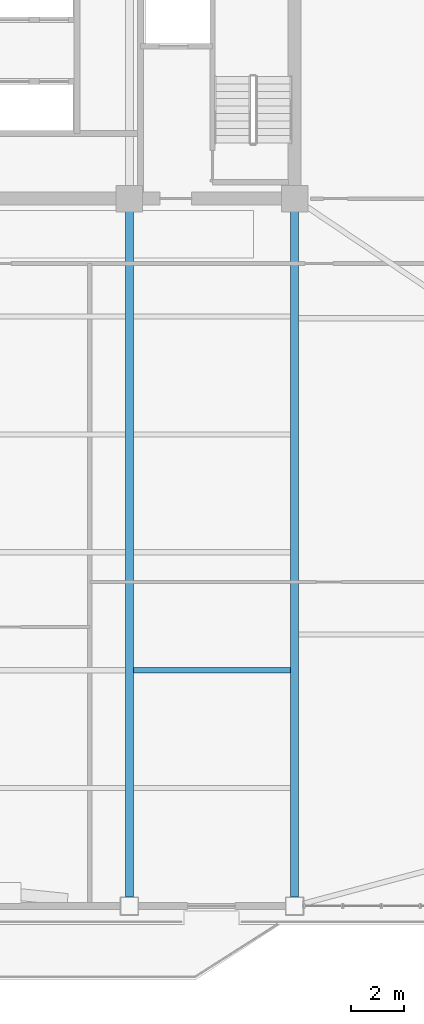
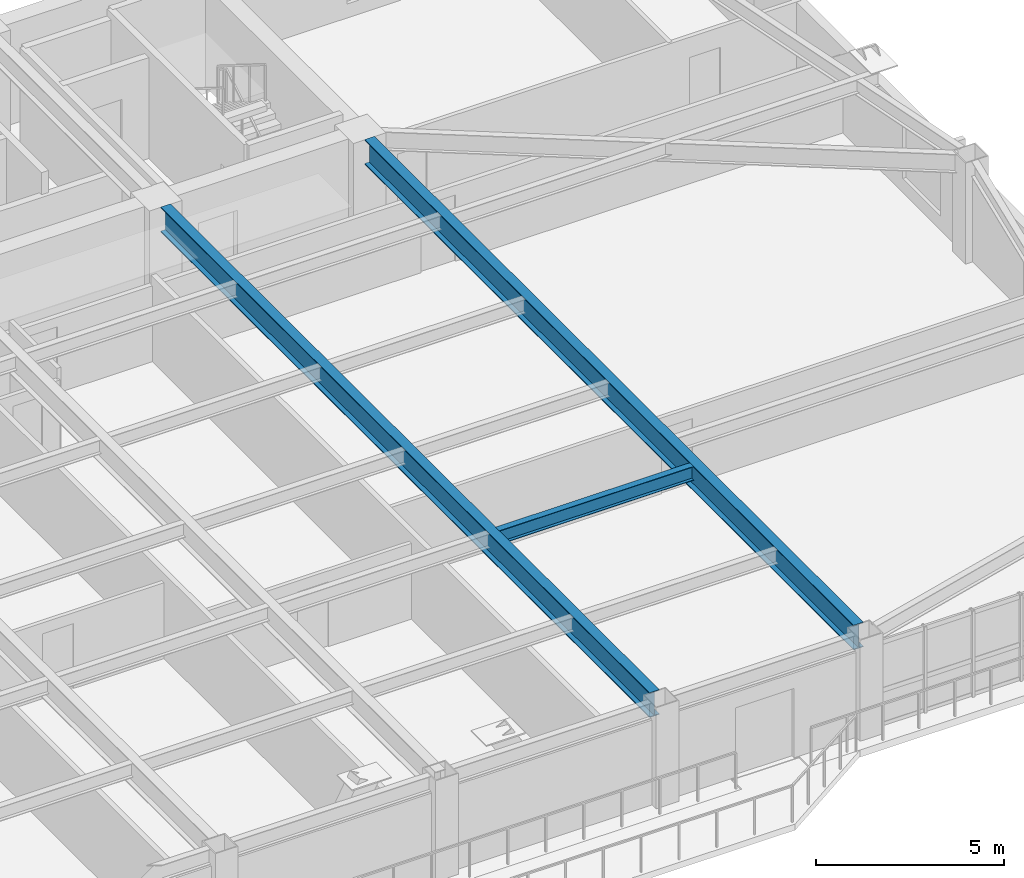
# One storey, part 5 of 17: 3 beams.
"""IFC4 building model written with IfcOpenShell, lengths in metres."""

import ifcopenshell
import ifcopenshell.guid

model = None  # the IFC model being written
_history = None  # IfcOwnerHistory: only IFC2X3 demands one
_inside = {}  # id of a spatial element -> (the spatial element, [elements in it])
_under = {}  # id of a project, library or spatial element -> (it, [spatial elements below it])
_declared = {}  # id of a project -> (the project, [libraries it declares])
_typed = {}  # id of a type object -> (the type object, [elements of that type])
_made_of = {}  # id of a material, layer set ... -> (it, [elements and type objects made of it])


def new_model(schema):
    """Start an empty IFC model of exactly this schema.

    Asked for "IFC4X3", IfcOpenShell would pick the latest addendum, in which some entities
    have other attributes; the version numbers below select the first issue.
    IFC2X3 requires an IfcOwnerHistory on every rooted entity: one is made here for all.
    """
    global model, _history
    if schema == "IFC4X3":
        model = ifcopenshell.file(schema_version=(4, 3, 0, 0))
    else:
        model = ifcopenshell.file(schema=schema)
    _inside.clear()
    _under.clear()
    _declared.clear()
    _typed.clear()
    _made_of.clear()
    _history = None
    if model.schema == "IFC2X3":
        org = make("IfcOrganization", Name="unknown")
        user = make(
            "IfcPersonAndOrganization",
            ThePerson=make("IfcPerson", FamilyName="unknown"),
            TheOrganization=org,
        )
        app = make(
            "IfcApplication",
            ApplicationDeveloper=org,
            Version="unknown",
            ApplicationFullName="unknown",
            ApplicationIdentifier="unknown",
        )
        _history = make(
            "IfcOwnerHistory",
            OwningUser=user,
            OwningApplication=app,
            ChangeAction="ADDED",
            CreationDate=0,
        )
    return model


def make(cls, **values):
    """One entity of the class cls with the attributes given. An attribute that is None is left unset."""
    return model.create_entity(
        cls, **{name: value for name, value in values.items() if value is not None}
    )


def rooted(cls, **values):
    """An entity with a GlobalId (a new one), such as an element, a storey or a relation."""
    return make(cls, GlobalId=ifcopenshell.guid.new(), OwnerHistory=_history, **values)


def si_unit(unit_type, name, prefix=None):
    """IfcSIUnit, for example si_unit("LENGTHUNIT", "METRE", prefix="MILLI")."""
    return make("IfcSIUnit", UnitType=unit_type, Prefix=prefix, Name=name)


def assignment(units):
    """IfcUnitAssignment: the units of a project."""
    return None if units is None else make("IfcUnitAssignment", Units=units)


def point(xyz):
    """IfcCartesianPoint."""
    return None if xyz is None else make("IfcCartesianPoint", Coordinates=xyz)


def direction(xyz):
    """IfcDirection."""
    return None if xyz is None else make("IfcDirection", DirectionRatios=xyz)


def frame(location, z_axis=None, x_axis=None):
    """IfcAxis2Placement3D, a coordinate frame: its origin and axes. An axis left out is left unset."""
    return make(
        "IfcAxis2Placement3D",
        Location=point(location),
        Axis=direction(z_axis),
        RefDirection=direction(x_axis),
    )


def frame_2d(location, x_axis=None):
    """IfcAxis2Placement2D, a coordinate frame in the plane: its origin and x axis."""
    return make(
        "IfcAxis2Placement2D", Location=point(location), RefDirection=direction(x_axis)
    )


def origin():
    """The frame at (0, 0, 0) with its axes left unset."""
    return frame((0.0, 0.0, 0.0))


def origin_2d():
    """The frame at (0, 0) in the plane with its x axis left unset."""
    return frame_2d((0.0, 0.0))


def place(relative_to, where):
    """IfcLocalPlacement: puts the frame where relative to a parent placement (None: the world)."""
    return make(
        "IfcLocalPlacement", PlacementRelTo=relative_to, RelativePlacement=where
    )


def context(
    kind, dimensions, precision=None, world=None, true_north=None, identifier=None
):
    """IfcGeometricRepresentationContext, for example the 3D "Model" context."""
    return make(
        "IfcGeometricRepresentationContext",
        ContextIdentifier=identifier,
        ContextType=kind,
        CoordinateSpaceDimension=dimensions,
        Precision=precision,
        WorldCoordinateSystem=world,
        TrueNorth=true_north,
    )


def subcontext(parent, identifier, kind, view, scale=None):
    """IfcGeometricRepresentationSubContext, for example "Body" below "Model"."""
    return make(
        "IfcGeometricRepresentationSubContext",
        ContextIdentifier=identifier,
        ContextType=kind,
        ParentContext=parent,
        TargetScale=scale,
        TargetView=view,
    )


def project(units=None, contexts=None):
    """IfcProject with its units and contexts."""
    return rooted(
        "IfcProject",
        Name="project",
        RepresentationContexts=contexts,
        UnitsInContext=assignment(units),
    )


def spatial(cls, under=None, at=None, **own):
    """A site, building, storey or space (cls), placed at a placement, below another one or the project."""
    s = rooted(cls, ObjectPlacement=at, **own)
    if under is not None:
        _under.setdefault(under.id(), (under, []))[1].append(s)
    return s


def profile(cls, at=None, kind="AREA", **sizes):
    """A parametric profile (cls). Its sizes go by their IFC names, for example OverallWidth=200.0."""
    return make(cls, ProfileType=kind, Position=at, **sizes)


def i_section(**sizes):
    """IfcIShapeProfileDef."""
    return profile("IfcIShapeProfileDef", **sizes)


def extrude(swept, where, along, depth):
    """IfcExtrudedAreaSolid: the profile swept, set in the frame where, extruded along a direction by depth."""
    return make(
        "IfcExtrudedAreaSolid",
        SweptArea=swept,
        Position=where,
        ExtrudedDirection=direction(along),
        Depth=depth,
    )


def shape(context_of_items, identifier, shape_type, items):
    """IfcShapeRepresentation: the items that make up one representation, for example the "Body"."""
    return make(
        "IfcShapeRepresentation",
        ContextOfItems=context_of_items,
        RepresentationIdentifier=identifier,
        RepresentationType=shape_type,
        Items=items,
    )


def source(mapping_origin, context_of_items, identifier, shape_type, items):
    """IfcRepresentationMap: a shape defined once, which mapped items show again and again."""
    return make(
        "IfcRepresentationMap",
        MappingOrigin=mapping_origin,
        MappedRepresentation=shape(context_of_items, identifier, shape_type, items),
    )


def transform(
    local_origin,
    x_axis=None,
    y_axis=None,
    z_axis=None,
    scale=None,
    scale2=None,
    scale3=None,
    uniform=True,
):
    """IfcCartesianTransformationOperator3D, or its non-uniform kind. x_axis, y_axis, z_axis: its Axis1, 2, 3."""
    if uniform:
        return make(
            "IfcCartesianTransformationOperator3D",
            Axis1=direction(x_axis),
            Axis2=direction(y_axis),
            LocalOrigin=point(local_origin),
            Scale=scale,
            Axis3=direction(z_axis),
        )
    return make(
        "IfcCartesianTransformationOperator3DnonUniform",
        Axis1=direction(x_axis),
        Axis2=direction(y_axis),
        LocalOrigin=point(local_origin),
        Scale=scale,
        Axis3=direction(z_axis),
        Scale2=scale2,
        Scale3=scale3,
    )


def mapped(mapping_source, mapping_target):
    """IfcMappedItem: shows the shape of a source again, moved by a transform."""
    return make(
        "IfcMappedItem", MappingSource=mapping_source, MappingTarget=mapping_target
    )


def material(Name=None, Category=None):
    """IfcMaterial."""
    return make("IfcMaterial", Name=Name, Category=Category)


def material_profile(
    of_material, cross_section, Name=None, Category=None, Priority=None
):
    """IfcMaterialProfile: a cross section and its material."""
    return make(
        "IfcMaterialProfile",
        Name=Name,
        Material=of_material,
        Profile=cross_section,
        Priority=Priority,
        Category=Category,
    )


def profile_set(profiles, Name=None, composite=None):
    """IfcMaterialProfileSet."""
    return make(
        "IfcMaterialProfileSet",
        Name=Name,
        MaterialProfiles=profiles,
        CompositeProfile=composite,
    )


def made_of(thing, what):
    """Note that an element or type object is made of a material, layer set ...; save() writes the relation."""
    if what is not None:
        _made_of.setdefault(what.id(), (what, []))[1].append(thing)
    return thing


def type_object(cls, material=None, **own):
    """A type object (cls), such as IfcWallType, which elements share."""
    return made_of(rooted(cls, **own), material)


def element(
    cls,
    number,
    at=None,
    inside=None,
    cuts=None,
    type_object=None,
    material=None,
    context=None,
    identifier="Body",
    shape_type=None,
    held_by="IfcProductDefinitionShape",
    body=None,
    shapes=None,
    **own,
):
    """One element of the class cls, such as IfcWall. Its Tag is "e" and its number.

    at: its placement. inside: the storey or other place that contains it. cuts: it is an
    opening in that element (IfcRelVoidsElement). A single representation is given by context,
    identifier, shape_type and body (its items); several are given by shapes. held_by: the class
    of the entity that holds the representations. save() writes the other relations.
    """
    e = rooted(cls, Tag="e%d" % number, ObjectPlacement=at, **own)
    if body is not None:
        shapes = [shape(context, identifier, shape_type, body)]
    if shapes is not None:
        e.Representation = make(held_by, Representations=shapes)
    if inside is not None:
        _inside.setdefault(inside.id(), (inside, []))[1].append(e)
    if cuts is not None:
        rooted(
            "IfcRelVoidsElement", RelatingBuildingElement=cuts, RelatedOpeningElement=e
        )
    if type_object is not None:
        _typed.setdefault(type_object.id(), (type_object, []))[1].append(e)
    return made_of(e, material)


def aggregate(whole, parts):
    """IfcRelAggregates: a whole, such as a stair, and the parts it consists of."""
    return rooted("IfcRelAggregates", RelatingObject=whole, RelatedObjects=parts)


def save(model, path):
    """Write the relations noted so far, then the file.

    IfcRelAggregates (storeys below a building ...), IfcRelContainedInSpatialStructure (elements
    in a storey), IfcRelDefinesByType, IfcRelAssociatesMaterial and IfcRelDeclares: one each for
    every whole, place, type object, material and project.
    """
    for whole, parts in _under.values():
        aggregate(whole, parts)
    for where, things in _inside.values():
        rooted(
            "IfcRelContainedInSpatialStructure",
            RelatedElements=things,
            RelatingStructure=where,
        )
    for kind, things in _typed.values():
        rooted("IfcRelDefinesByType", RelatedObjects=things, RelatingType=kind)
    for what, things in _made_of.values():
        rooted("IfcRelAssociatesMaterial", RelatedObjects=things, RelatingMaterial=what)
    for by, libraries in _declared.values():
        rooted("IfcRelDeclares", RelatingContext=by, RelatedDefinitions=libraries)
    model.write(path)


model = new_model("IFC4")

# Units and contexts
model_context = context("Model", 3, precision=1e-05, world=origin(), true_north=direction((0.0, 1.0)))
body_context = subcontext(model_context, "Body", "Model", "MODEL_VIEW")
ifc_project = project(units=[si_unit("LENGTHUNIT", "METRE"), si_unit("AREAUNIT", "SQUARE_METRE"), si_unit("VOLUMEUNIT", "CUBIC_METRE"), si_unit("PLANEANGLEUNIT", "RADIAN"), si_unit("MASSUNIT", "GRAM", prefix="KILO")], contexts=[model_context])

# Site, building, storey
site_placement = place(None, origin())
site = spatial("IfcSite", under=ifc_project, at=site_placement, CompositionType="ELEMENT")
building_placement = place(site_placement, origin())
building = spatial("IfcBuilding", under=site, at=building_placement, Name="Giltprow Tower", CompositionType="ELEMENT")
storey_placement = place(building_placement, frame((0.0, 0.0, 195.699951171875)))
storey = spatial("IfcBuildingStorey", under=building, at=storey_placement, Name="L49", CompositionType="ELEMENT", Elevation=195.699951171875)

# Beams
ifc_material = material(Name="Structural steel Q355B", Category="steel")
ifc_material_profile_1 = material_profile(ifc_material, i_section(OverallWidth=0.199951171875, OverallDepth=0.449951171875, WebThickness=0.009033203125, FlangeThickness=0.013916015625, at=origin_2d()), Name="HN 450x200x9x14")
ifc_profile_set_1 = profile_set([ifc_material_profile_1], Name="Structural steel Q355B")
beam_type_1 = type_object("IfcBeamType", Name="BM-JOIST-HN450", PredefinedType="JOIST", material=ifc_profile_set_1)
shared_shape_1 = source(origin(), body_context, "Body", "SweptSolid", [
    extrude(i_section(OverallWidth=0.199951171875, OverallDepth=0.449951171875, WebThickness=0.009033203125, FlangeThickness=0.013916015625, at=origin_2d()), origin(), (0.0, 0.0, 1.0), 5.9599609375),
])
beam_placement = place(storey_placement, frame((44.445068359375, 19.60302734375, 3.045166015625), z_axis=(1.0, 0.0, 0.0), x_axis=(0.0, 1.0, 0.0)))
element("IfcBeam", 1, at=beam_placement, inside=storey, type_object=beam_type_1, Name="L49 Composite Floor Joist 2-4", PredefinedType="JOIST", context=body_context, shape_type="MappedRepresentation", body=[
    mapped(shared_shape_1, transform((0.0, 0.0, 0.0), x_axis=(1.0, 0.0, 0.0), y_axis=(0.0, 1.0, 0.0), z_axis=(0.0, 0.0, 1.0), scale=1.0)),
])
ifc_material_profile_2 = material_profile(ifc_material, i_section(OverallWidth=0.300048828125, OverallDepth=0.800048828125, WebThickness=0.013916015625, FlangeThickness=0.02587890625, at=origin_2d()), Name="HN 800x300x14x26")
ifc_profile_set_2 = profile_set([ifc_material_profile_2], Name="Structural steel Q355B")
beam_type_2 = type_object("IfcBeamType", Name="BM-GIRD-HN800", PredefinedType="BEAM", material=ifc_profile_set_2)
shared_shape_2 = source(origin(), body_context, "Body", "SweptSolid", [
    extrude(i_section(OverallWidth=0.300048828125, OverallDepth=0.800048828125, WebThickness=0.013916015625, FlangeThickness=0.02587890625, at=origin_2d()), origin(), (0.0, 0.0, 1.0), 25.9501953125),
])
for number, where, z_axis, x_axis, name in (
    (2, (44.300048828125, 11.014892578125, 2.8701171875), (0.0, 1.0, 0.0), (-1.0, 0.0, 0.0), "L49 Primary Lease Girder S3"),
    (3, (50.550048828125, 11.014892578125, 2.8701171875), (0.0, 1.0, 0.0), (-1.0, 0.0, 0.0), "L49 Primary Lease Girder S4"),
):
    element("IfcBeam", number, at=place(storey_placement, frame(where, z_axis=z_axis, x_axis=x_axis)), inside=storey, type_object=beam_type_2, Name=name, PredefinedType="BEAM", context=body_context, shape_type="MappedRepresentation", body=[
        mapped(shared_shape_2, transform((0.0, 0.0, 0.0), x_axis=(1.0, 0.0, 0.0), y_axis=(0.0, 1.0, 0.0), z_axis=(0.0, 0.0, 1.0), scale=1.0)),
    ])

save(model, "model.ifc")
